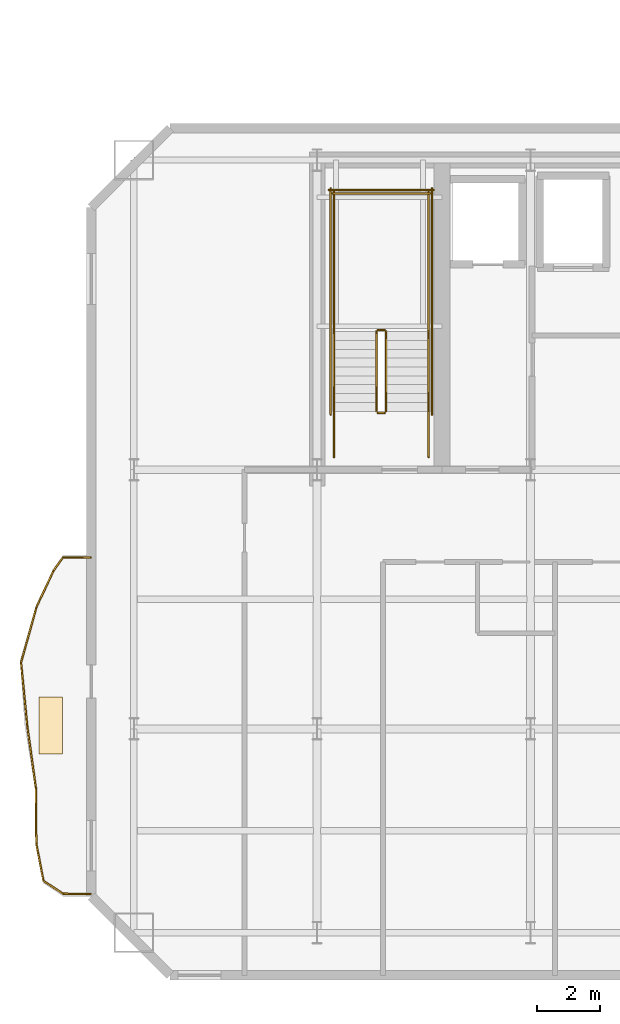
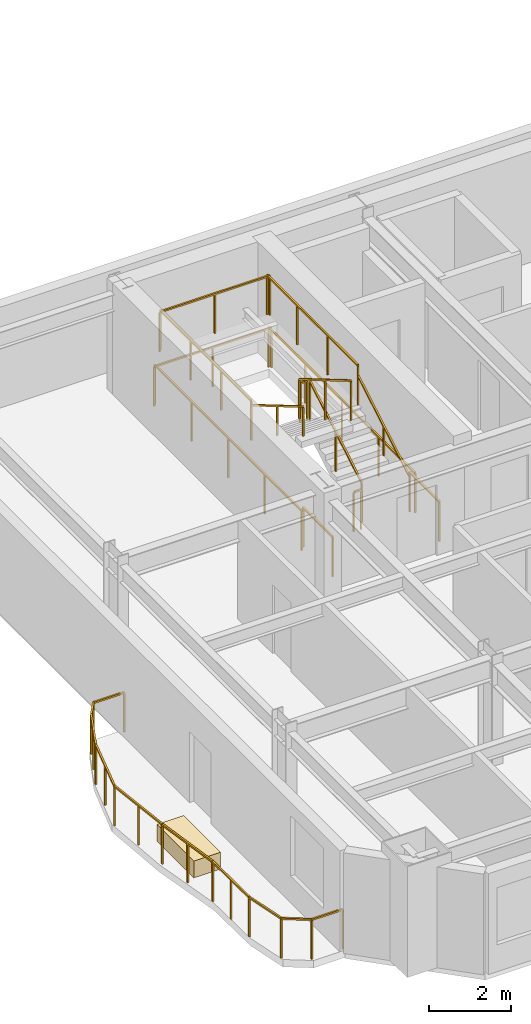
# One storey, part 10 of 13: 24 railings, 1 covering.
"""IFC4 building model written with IfcOpenShell, lengths in metres."""

from ifc_helpers import new_model, si_unit, direction, frame, origin, origin_2d, place, context, subcontext, project, spatial, rectangle, extrude, material, layer, layer_set, type_object, element, save


model = new_model("IFC4")

# Units and contexts
model_context = context("Model", 3, precision=1e-05, world=origin(), true_north=direction((0.0, 1.0)))
body_context = subcontext(model_context, "Body", "Model", "MODEL_VIEW")
ifc_project = project(units=[si_unit("LENGTHUNIT", "METRE"), si_unit("AREAUNIT", "SQUARE_METRE"), si_unit("VOLUMEUNIT", "CUBIC_METRE"), si_unit("PLANEANGLEUNIT", "RADIAN"), si_unit("MASSUNIT", "GRAM", prefix="KILO")], contexts=[model_context])

# Site, building, storey
site_placement = place(None, origin())
site = spatial("IfcSite", under=ifc_project, at=site_placement, CompositionType="ELEMENT")
building_placement = place(site_placement, origin())
building = spatial("IfcBuilding", under=site, at=building_placement, Name="Haevon Station Towers", CompositionType="ELEMENT")
storey_placement = place(building_placement, frame((0.0, 0.0, 189.0)))
storey = spatial("IfcBuildingStorey", under=building, at=storey_placement, Name="L52", CompositionType="ELEMENT", Elevation=189.0)

# Railings
ifc_material_1 = material(Name="Steel S355", Category="steel")
railing_type_1 = type_object("IfcRailingType", Name="GRD-EXT1200", PredefinedType="GUARDRAIL", material=ifc_material_1)
railing_1_placement = place(storey_placement, frame((16.82666015625, 35.422119140625, 0.0)))
element("IfcRailing", 1, at=railing_1_placement, inside=storey, type_object=railing_type_1, Name="L52 Perimeter Guardrail 1", PredefinedType="GUARDRAIL", context=body_context, shape_type="SweptSolid", body=[
    extrude(rectangle(XDim=0.048095703125, YDim=0.048095703125, at=origin_2d()), frame((0.0, 0.0, 1.17578125), z_axis=(-0.99999747791, -0.002245923589, 0.0), x_axis=(0.002245923589, -0.99999747791, 0.0)), (0.0, 0.0, 1.0), 0.86962890625),
    extrude(rectangle(XDim=0.0419921875, YDim=0.0419921875, at=origin_2d()), origin(), (0.0, 0.0, 1.0), 1.15185546875),
    extrude(rectangle(XDim=0.0419921875, YDim=0.0419921875, at=origin_2d()), frame((-0.86962890625, -0.001953125, 0.0)), (0.0, 0.0, 1.0), 1.15185546875),
])
railing_2_placement = place(storey_placement, frame((15.95703125, 35.420166015625, 0.0)))
element("IfcRailing", 2, at=railing_2_placement, inside=storey, type_object=railing_type_1, Name="L52 Perimeter Guardrail 2", PredefinedType="GUARDRAIL", context=body_context, shape_type="SweptSolid", body=[
    extrude(rectangle(XDim=0.048095703125, YDim=0.048095703125, at=origin_2d()), frame((0.0, 0.0, 1.17578125), z_axis=(-0.587943185417, -0.808902225688, 0.0), x_axis=(0.808902225688, -0.587943185417, 0.0)), (0.0, 0.0, 1.0), 0.50830078125),
    extrude(rectangle(XDim=0.0419921875, YDim=0.0419921875, at=origin_2d()), origin(), (0.0, 0.0, 1.0), 1.15185546875),
    extrude(rectangle(XDim=0.0419921875, YDim=0.0419921875, at=origin_2d()), frame((-0.298828125, -0.4111328125, 0.0)), (0.0, 0.0, 1.0), 1.15185546875),
])
railing_3_placement = place(storey_placement, frame((15.658203125, 35.009033203125, 0.0)))
element("IfcRailing", 3, at=railing_3_placement, inside=storey, type_object=railing_type_1, Name="L52 Perimeter Guardrail 3", PredefinedType="GUARDRAIL", context=body_context, shape_type="SweptSolid", body=[
    extrude(rectangle(XDim=0.048095703125, YDim=0.048095703125, at=origin_2d()), frame((0.0, 0.0, 1.17578125), z_axis=(-0.42339242702, -0.905946385137, 0.0), x_axis=(0.905946385137, -0.42339242702, 0.0)), (0.0, 0.0, 1.0), 1.291748046875),
    extrude(rectangle(XDim=0.0419921875, YDim=0.0419921875, at=origin_2d()), origin(), (0.0, 0.0, 1.0), 1.15185546875),
    extrude(rectangle(XDim=0.0419921875, YDim=0.0419921875, at=origin_2d()), frame((-0.2734375, -0.5849609375, 0.0)), (0.0, 0.0, 1.0), 1.15185546875),
    extrude(rectangle(XDim=0.0419921875, YDim=0.0419921875, at=origin_2d()), frame((-0.546875, -1.170166015625, 0.0)), (0.0, 0.0, 1.0), 1.15185546875),
])
railing_4_placement = place(storey_placement, frame((15.111328125, 33.8388671875, 0.0)))
element("IfcRailing", 4, at=railing_4_placement, inside=storey, type_object=railing_type_1, Name="L52 Perimeter Guardrail 4", PredefinedType="GUARDRAIL", context=body_context, shape_type="SweptSolid", body=[
    extrude(rectangle(XDim=0.048095703125, YDim=0.048095703125, at=origin_2d()), frame((0.0, 0.0, 1.17578125), z_axis=(-0.266356811872, -0.963874498454, 0.0), x_axis=(0.963874498454, -0.266356811872, 0.0)), (0.0, 0.0, 1.0), 1.810302734375),
    extrude(rectangle(XDim=0.0419921875, YDim=0.0419921875, at=origin_2d()), origin(), (0.0, 0.0, 1.0), 1.15185546875),
    extrude(rectangle(XDim=0.0419921875, YDim=0.0419921875, at=origin_2d()), frame((-0.2412109375, -0.87255859375, 0.0)), (0.0, 0.0, 1.0), 1.15185546875),
    extrude(rectangle(XDim=0.0419921875, YDim=0.0419921875, at=origin_2d()), frame((-0.482177734375, -1.744873046875, 0.0)), (0.0, 0.0, 1.0), 1.15185546875),
])
railing_5_placement = place(storey_placement, frame((14.629150390625, 32.093994140625, 0.0)))
element("IfcRailing", 5, at=railing_5_placement, inside=storey, type_object=railing_type_1, Name="L52 Perimeter Guardrail 5", PredefinedType="GUARDRAIL", context=body_context, shape_type="SweptSolid", body=[
    extrude(rectangle(XDim=0.048095703125, YDim=0.048095703125, at=origin_2d()), frame((0.0, 0.0, 1.17578125), z_axis=(0.097729986477, -0.995212967029, 0.0), x_axis=(0.995212967029, 0.097729986477, 0.0)), (0.0, 0.0, 1.0), 2.00341796875),
    extrude(rectangle(XDim=0.0419921875, YDim=0.0419921875, at=origin_2d()), origin(), (0.0, 0.0, 1.0), 1.15185546875),
    extrude(rectangle(XDim=0.0419921875, YDim=0.0419921875, at=origin_2d()), frame((0.097900390625, -0.9970703125, 0.0)), (0.0, 0.0, 1.0), 1.15185546875),
    extrude(rectangle(XDim=0.0419921875, YDim=0.0419921875, at=origin_2d()), frame((0.19580078125, -1.993896484375, 0.0)), (0.0, 0.0, 1.0), 1.15185546875),
])
railing_6_placement = place(storey_placement, frame((14.824951171875, 30.10009765625, 0.0)))
element("IfcRailing", 6, at=railing_6_placement, inside=storey, type_object=railing_type_1, Name="L52 Perimeter Guardrail 6", PredefinedType="GUARDRAIL", context=body_context, shape_type="SweptSolid", body=[
    extrude(rectangle(XDim=0.048095703125, YDim=0.048095703125, at=origin_2d()), frame((0.0, 0.0, 1.17578125), z_axis=(0.136328744782, -0.990663652985, 0.0), x_axis=(0.990663652985, 0.136328744782, 0.0)), (0.0, 0.0, 1.0), 2.007568359375),
    extrude(rectangle(XDim=0.0419921875, YDim=0.0419921875, at=origin_2d()), origin(), (0.0, 0.0, 1.0), 1.15185546875),
    extrude(rectangle(XDim=0.0419921875, YDim=0.0419921875, at=origin_2d()), frame((0.13671875, -0.994384765625, 0.0)), (0.0, 0.0, 1.0), 1.15185546875),
    extrude(rectangle(XDim=0.0419921875, YDim=0.0419921875, at=origin_2d()), frame((0.273681640625, -1.98876953125, 0.0)), (0.0, 0.0, 1.0), 1.15185546875),
])
railing_7_placement = place(storey_placement, frame((15.0986328125, 28.111328125, 0.0)))
element("IfcRailing", 7, at=railing_7_placement, inside=storey, type_object=railing_type_1, Name="L52 Perimeter Guardrail 7", PredefinedType="GUARDRAIL", context=body_context, shape_type="SweptSolid", body=[
    extrude(rectangle(XDim=0.048095703125, YDim=0.048095703125, at=origin_2d()), frame((0.0, 0.0, 1.17578125), z_axis=(0.00725326156, -0.999973694752, 0.0), x_axis=(0.999973694752, 0.00725326156, 0.0)), (0.0, 0.0, 1.0), 1.750244140625),
    extrude(rectangle(XDim=0.0419921875, YDim=0.0419921875, at=origin_2d()), origin(), (0.0, 0.0, 1.0), 1.15185546875),
    extrude(rectangle(XDim=0.0419921875, YDim=0.0419921875, at=origin_2d()), frame((0.00634765625, -0.875, 0.0)), (0.0, 0.0, 1.0), 1.15185546875),
    extrude(rectangle(XDim=0.0419921875, YDim=0.0419921875, at=origin_2d()), frame((0.0126953125, -1.750244140625, 0.0)), (0.0, 0.0, 1.0), 1.15185546875),
])
railing_8_placement = place(storey_placement, frame((15.111328125, 26.361083984375, 0.0)))
element("IfcRailing", 8, at=railing_8_placement, inside=storey, type_object=railing_type_1, Name="L52 Perimeter Guardrail 8", PredefinedType="GUARDRAIL", context=body_context, shape_type="SweptSolid", body=[
    extrude(rectangle(XDim=0.048095703125, YDim=0.048095703125, at=origin_2d()), frame((0.0, 0.0, 1.17578125), z_axis=(0.18988815167, -0.981805729182, 0.0), x_axis=(0.981805729182, 0.18988815167, 0.0)), (0.0, 0.0, 1.0), 1.19189453125),
    extrude(rectangle(XDim=0.0419921875, YDim=0.0419921875, at=origin_2d()), origin(), (0.0, 0.0, 1.0), 1.15185546875),
    extrude(rectangle(XDim=0.0419921875, YDim=0.0419921875, at=origin_2d()), frame((0.226318359375, -1.170166015625, 0.0)), (0.0, 0.0, 1.0), 1.15185546875),
])
railing_9_placement = place(storey_placement, frame((15.337646484375, 25.19091796875, 0.0)))
element("IfcRailing", 9, at=railing_9_placement, inside=storey, type_object=railing_type_1, Name="L52 Perimeter Guardrail 9", PredefinedType="GUARDRAIL", context=body_context, shape_type="SweptSolid", body=[
    extrude(rectangle(XDim=0.048095703125, YDim=0.048095703125, at=origin_2d()), frame((0.0, 0.0, 1.17578125), z_axis=(0.833160144028, -0.553031802343, 0.0), x_axis=(0.553031802343, 0.833160144028, 0.0)), (0.0, 0.0, 1.0), 0.743408203125),
    extrude(rectangle(XDim=0.0419921875, YDim=0.0419921875, at=origin_2d()), origin(), (0.0, 0.0, 1.0), 1.15185546875),
    extrude(rectangle(XDim=0.0419921875, YDim=0.0419921875, at=origin_2d()), frame((0.619384765625, -0.4111328125, 0.0)), (0.0, 0.0, 1.0), 1.15185546875),
])
railing_10_placement = place(storey_placement, frame((15.95703125, 24.77978515625, 0.0)))
element("IfcRailing", 10, at=railing_10_placement, inside=storey, type_object=railing_type_1, Name="L52 Perimeter Guardrail 10", PredefinedType="GUARDRAIL", context=body_context, shape_type="SweptSolid", body=[
    extrude(rectangle(XDim=0.048095703125, YDim=0.048095703125, at=origin_2d()), frame((0.0, 0.0, 1.17578125), z_axis=(0.99999747791, -0.002245923589, 0.0), x_axis=(0.002245923589, 0.99999747791, 0.0)), (0.0, 0.0, 1.0), 0.86962890625),
    extrude(rectangle(XDim=0.0419921875, YDim=0.0419921875, at=origin_2d()), origin(), (0.0, 0.0, 1.0), 1.15185546875),
    extrude(rectangle(XDim=0.0419921875, YDim=0.0419921875, at=origin_2d()), frame((0.86962890625, -0.001953125, 0.0)), (0.0, 0.0, 1.0), 1.15185546875),
])
railing_type_2 = type_object("IfcRailingType", Name="GRD-STR1200", PredefinedType="GUARDRAIL", material=ifc_material_1)
railing_11_placement = place(storey_placement, frame((26.179931640625, 40.050048828125, 0.1650390625)))
element("IfcRailing", 11, at=railing_11_placement, inside=storey, type_object=railing_type_2, Name="L52 ST1 Stair Guard 1", PredefinedType="GUARDRAIL", context=body_context, shape_type="SweptSolid", body=[
    extrude(rectangle(XDim=0.048095703125, YDim=0.048095703125, at=origin_2d()), frame((0.0, 0.0, 1.17578125), z_axis=(0.0, 0.861560626758, 0.507654692109), x_axis=(-1.0, 0.0, 0.0)), (0.0, 0.0, 1.0), 2.925048828125),
    extrude(rectangle(XDim=0.0419921875, YDim=0.0419921875, at=origin_2d()), origin(), (0.0, 0.0, 1.0), 1.15185546875),
    extrude(rectangle(XDim=0.0419921875, YDim=0.0419921875, at=origin_2d()), frame((0.0, 1.260009765625, 0.742431640625)), (0.0, 0.0, 1.0), 1.15185546875),
    extrude(rectangle(XDim=0.0419921875, YDim=0.0419921875, at=origin_2d()), frame((0.0, 2.52001953125, 1.48486328125)), (0.0, 0.0, 1.0), 1.15185546875),
])
railing_12_placement = place(storey_placement, frame((26.1298828125, 42.6201171875, 1.64990234375)))
element("IfcRailing", 12, at=railing_12_placement, inside=storey, type_object=railing_type_2, Name="L52 ST1 Stair Guard 2", PredefinedType="GUARDRAIL", context=body_context, shape_type="SweptSolid", body=[
    extrude(rectangle(XDim=0.048095703125, YDim=0.048095703125, at=origin_2d()), frame((0.0, 0.0, 1.17578125), z_axis=(-1.0, 0.0, 0.0), x_axis=(0.0, -1.0, 0.0)), (0.0, 0.0, 1.0), 0.199951171875),
    extrude(rectangle(XDim=0.0419921875, YDim=0.0419921875, at=origin_2d()), origin(), (0.0, 0.0, 1.0), 1.15185546875),
    extrude(rectangle(XDim=0.0419921875, YDim=0.0419921875, at=origin_2d()), frame((-0.199951171875, 0.0, 0.0)), (0.0, 0.0, 1.0), 1.15185546875),
])
for number, where, name in (
    (13, (27.530029296875, 42.570068359375, 1.64990234375), "L52 ST1 Stair Guard 3"),
    (14, (24.530029296875, 42.570068359375, 1.64990234375), "L52 ST1 Stair Guard 4"),
):
    element("IfcRailing", number, at=place(storey_placement, frame(where)), inside=storey, type_object=railing_type_2, Name=name, PredefinedType="GUARDRAIL", context=body_context, shape_type="SweptSolid", body=[
        extrude(rectangle(XDim=0.048095703125, YDim=0.048095703125, at=origin_2d()), frame((0.0, 0.0, 1.17578125), z_axis=(0.0, 1.0, 0.0), x_axis=(-1.0, 0.0, 0.0)), (0.0, 0.0, 1.0), 4.429931640625),
        extrude(rectangle(XDim=0.0419921875, YDim=0.0419921875, at=origin_2d()), origin(), (0.0, 0.0, 1.0), 1.15185546875),
        extrude(rectangle(XDim=0.0419921875, YDim=0.0419921875, at=origin_2d()), frame((0.0, 1.4765625, 0.0)), (0.0, 0.0, 1.0), 1.15185546875),
        extrude(rectangle(XDim=0.0419921875, YDim=0.0419921875, at=origin_2d()), frame((0.0, 2.953369140625, 0.0)), (0.0, 0.0, 1.0), 1.15185546875),
        extrude(rectangle(XDim=0.0419921875, YDim=0.0419921875, at=origin_2d()), frame((0.0, 4.429931640625, 0.0)), (0.0, 0.0, 1.0), 1.15185546875),
    ])
railing_13_placement = place(storey_placement, frame((27.580078125, 46.949951171875, 1.64990234375)))
element("IfcRailing", 15, at=railing_13_placement, inside=storey, type_object=railing_type_2, Name="L52 ST1 Stair Guard 5", PredefinedType="GUARDRAIL", context=body_context, shape_type="SweptSolid", body=[
    extrude(rectangle(XDim=0.048095703125, YDim=0.048095703125, at=origin_2d()), frame((0.0, 0.0, 1.17578125), z_axis=(-1.0, 0.0, 0.0), x_axis=(0.0, -1.0, 0.0)), (0.0, 0.0, 1.0), 3.10009765625),
    extrude(rectangle(XDim=0.0419921875, YDim=0.0419921875, at=origin_2d()), origin(), (0.0, 0.0, 1.0), 1.15185546875),
    extrude(rectangle(XDim=0.0419921875, YDim=0.0419921875, at=origin_2d()), frame((-1.550048828125, 0.0, 0.0)), (0.0, 0.0, 1.0), 1.15185546875),
    extrude(rectangle(XDim=0.0419921875, YDim=0.0419921875, at=origin_2d()), frame((-3.10009765625, 0.0, 0.0)), (0.0, 0.0, 1.0), 1.15185546875),
])
railing_14_placement = place(storey_placement, frame((25.8798828125, 42.570068359375, 1.81494140625)))
element("IfcRailing", 16, at=railing_14_placement, inside=storey, type_object=railing_type_2, Name="L52 ST1 Stair Guard 6", PredefinedType="GUARDRAIL", context=body_context, shape_type="SweptSolid", body=[
    extrude(rectangle(XDim=0.048095703125, YDim=0.048095703125, at=origin_2d()), frame((0.0, 0.0, 1.17578125), z_axis=(0.0, -0.86152411907, 0.507716645641), x_axis=(1.0, 0.0, 0.0)), (0.0, 0.0, 1.0), 2.925048828125),
    extrude(rectangle(XDim=0.0419921875, YDim=0.0419921875, at=origin_2d()), origin(), (0.0, 0.0, 1.0), 1.15185546875),
    extrude(rectangle(XDim=0.0419921875, YDim=0.0419921875, at=origin_2d()), frame((0.0, -1.260009765625, 0.74267578125)), (0.0, 0.0, 1.0), 1.15185546875),
    extrude(rectangle(XDim=0.0419921875, YDim=0.0419921875, at=origin_2d()), frame((0.0, -2.52001953125, 1.485107421875)), (0.0, 0.0, 1.0), 1.15185546875),
])
railing_15_placement = place(storey_placement, frame((26.1298828125, 40.0, 0.0)))
element("IfcRailing", 17, at=railing_15_placement, inside=storey, type_object=railing_type_2, Name="L52 ST1 Stair Guard 7", PredefinedType="GUARDRAIL", context=body_context, shape_type="SweptSolid", body=[
    extrude(rectangle(XDim=0.048095703125, YDim=0.048095703125, at=origin_2d()), frame((0.0, 0.0, 1.17578125), z_axis=(-1.0, 0.0, 0.0), x_axis=(0.0, -1.0, 0.0)), (0.0, 0.0, 1.0), 0.199951171875),
    extrude(rectangle(XDim=0.0419921875, YDim=0.0419921875, at=origin_2d()), origin(), (0.0, 0.0, 1.0), 1.15185546875),
    extrude(rectangle(XDim=0.0419921875, YDim=0.0419921875, at=origin_2d()), frame((-0.199951171875, 0.0, 0.0)), (0.0, 0.0, 1.0), 1.15185546875),
])
for number, where, name in (
    (18, (27.530029296875, 38.60009765625, 0.0), "L52 ST1 Stair Guard 8"),
    (19, (24.530029296875, 38.60009765625, 0.0), "L52 ST1 Stair Guard 9"),
):
    element("IfcRailing", number, at=place(storey_placement, frame(where)), inside=storey, type_object=railing_type_2, Name=name, PredefinedType="GUARDRAIL", context=body_context, shape_type="SweptSolid", body=[
        extrude(rectangle(XDim=0.048095703125, YDim=0.048095703125, at=origin_2d()), frame((0.0, 0.0, 1.17578125), z_axis=(0.0, 1.0, 0.0), x_axis=(-1.0, 0.0, 0.0)), (0.0, 0.0, 1.0), 1.449951171875),
        extrude(rectangle(XDim=0.0419921875, YDim=0.0419921875, at=origin_2d()), origin(), (0.0, 0.0, 1.0), 1.15185546875),
        extrude(rectangle(XDim=0.0419921875, YDim=0.0419921875, at=origin_2d()), frame((0.0, 1.449951171875, 0.0)), (0.0, 0.0, 1.0), 1.15185546875),
    ])
for number, where, name in (
    (20, (27.6298828125, 39.949951171875, 0.0), "L52 ST1 Stair Guard 10"),
    (21, (24.429931640625, 39.949951171875, 0.0), "L52 ST1 Stair Guard 11"),
):
    element("IfcRailing", number, at=place(storey_placement, frame(where)), inside=storey, type_object=railing_type_2, Name=name, PredefinedType="GUARDRAIL", context=body_context, shape_type="SweptSolid", body=[
        extrude(rectangle(XDim=0.048095703125, YDim=0.048095703125, at=origin_2d()), frame((0.0, 0.0, 1.17578125), z_axis=(0.0, 1.0, 0.0), x_axis=(-1.0, 0.0, 0.0)), (0.0, 0.0, 1.0), 7.150146484375),
        extrude(rectangle(XDim=0.0419921875, YDim=0.0419921875, at=origin_2d()), origin(), (0.0, 0.0, 1.0), 1.15185546875),
        extrude(rectangle(XDim=0.0419921875, YDim=0.0419921875, at=origin_2d()), frame((0.0, 1.78759765625, 0.0)), (0.0, 0.0, 1.0), 1.15185546875),
        extrude(rectangle(XDim=0.0419921875, YDim=0.0419921875, at=origin_2d()), frame((0.0, 3.5751953125, 0.0)), (0.0, 0.0, 1.0), 1.15185546875),
        extrude(rectangle(XDim=0.0419921875, YDim=0.0419921875, at=origin_2d()), frame((0.0, 5.362548828125, 0.0)), (0.0, 0.0, 1.0), 1.15185546875),
        extrude(rectangle(XDim=0.0419921875, YDim=0.0419921875, at=origin_2d()), frame((0.0, 7.150146484375, 0.0)), (0.0, 0.0, 1.0), 1.15185546875),
    ])
railing_16_placement = place(storey_placement, frame((27.679931640625, 47.050048828125, 0.0)))
element("IfcRailing", 22, at=railing_16_placement, inside=storey, type_object=railing_type_2, Name="L52 ST1 Stair Guard 12", PredefinedType="GUARDRAIL", context=body_context, shape_type="SweptSolid", body=[
    extrude(rectangle(XDim=0.048095703125, YDim=0.048095703125, at=origin_2d()), frame((0.0, 0.0, 1.17578125), z_axis=(-1.0, 0.0, 0.0), x_axis=(0.0, -1.0, 0.0)), (0.0, 0.0, 1.0), 3.300048828125),
    extrude(rectangle(XDim=0.0419921875, YDim=0.0419921875, at=origin_2d()), origin(), (0.0, 0.0, 1.0), 1.15185546875),
    extrude(rectangle(XDim=0.0419921875, YDim=0.0419921875, at=origin_2d()), frame((-1.64990234375, 0.0, 0.0)), (0.0, 0.0, 1.0), 1.15185546875),
    extrude(rectangle(XDim=0.0419921875, YDim=0.0419921875, at=origin_2d()), frame((-3.300048828125, 0.0, 0.0)), (0.0, 0.0, 1.0), 1.15185546875),
])
railing_type_3 = type_object("IfcRailingType", Name="HND-STR900", PredefinedType="HANDRAIL", material=ifc_material_1)
railing_17_placement = place(storey_placement, frame((27.530029296875, 40.050048828125, 0.1650390625)))
element("IfcRailing", 23, at=railing_17_placement, inside=storey, type_object=railing_type_3, Name="L52 ST1 Stair Handrail 1", PredefinedType="HANDRAIL", context=body_context, shape_type="SweptSolid", body=[
    extrude(rectangle(XDim=0.048095703125, YDim=0.048095703125, at=origin_2d()), frame((0.0, 0.0, 0.8759765625), z_axis=(0.0, 0.861560626758, 0.507654692109), x_axis=(-1.0, 0.0, 0.0)), (0.0, 0.0, 1.0), 2.925048828125),
    extrude(rectangle(XDim=0.0419921875, YDim=0.0419921875, at=origin_2d()), origin(), (0.0, 0.0, 1.0), 0.851806640625),
    extrude(rectangle(XDim=0.0419921875, YDim=0.0419921875, at=origin_2d()), frame((0.0, 1.260009765625, 0.742431640625)), (0.0, 0.0, 1.0), 0.851806640625),
    extrude(rectangle(XDim=0.0419921875, YDim=0.0419921875, at=origin_2d()), frame((0.0, 2.52001953125, 1.48486328125)), (0.0, 0.0, 1.0), 0.851806640625),
])
railing_18_placement = place(storey_placement, frame((24.530029296875, 42.570068359375, 1.81494140625)))
element("IfcRailing", 24, at=railing_18_placement, inside=storey, type_object=railing_type_3, Name="L52 ST1 Stair Handrail 2", PredefinedType="HANDRAIL", context=body_context, shape_type="SweptSolid", body=[
    extrude(rectangle(XDim=0.048095703125, YDim=0.048095703125, at=origin_2d()), frame((0.0, 0.0, 0.8759765625), z_axis=(0.0, -0.86152411907, 0.507716645641), x_axis=(1.0, 0.0, 0.0)), (0.0, 0.0, 1.0), 2.925048828125),
    extrude(rectangle(XDim=0.0419921875, YDim=0.0419921875, at=origin_2d()), origin(), (0.0, 0.0, 1.0), 0.851806640625),
    extrude(rectangle(XDim=0.0419921875, YDim=0.0419921875, at=origin_2d()), frame((0.0, -1.260009765625, 0.74267578125)), (0.0, 0.0, 1.0), 0.851806640625),
    extrude(rectangle(XDim=0.0419921875, YDim=0.0419921875, at=origin_2d()), frame((0.0, -2.52001953125, 1.485107421875)), (0.0, 0.0, 1.0), 0.851806640625),
])

# Covering
ifc_material_2 = material(Name="Architectural planter GRC", Category="concrete")
ifc_layer = layer(ifc_material_2, 0.550048828125)
ifc_layer_set = layer_set([ifc_layer], Name="Architectural planter GRC")
covering_type = type_object("IfcCoveringType", Name="PLN-GRC550", PredefinedType="MOLDING", material=ifc_layer_set)
covering_placement = place(storey_placement, frame((15.566650390625, 30.10009765625, 0.0), z_axis=(0.0, 0.0, 1.0), x_axis=(1.0, 0.0, 0.0)))
element("IfcCovering", 25, at=covering_placement, inside=storey, type_object=covering_type, Name="Tower 1 L52 Scalloped Balcony PLANTER", PredefinedType="MOLDING", context=body_context, shape_type="SweptSolid", body=[
    extrude(rectangle(XDim=0.75, YDim=1.800048828125, at=origin_2d()), origin(), (0.0, 0.0, 1.0), 0.5),
])

save(model, "model.ifc")
